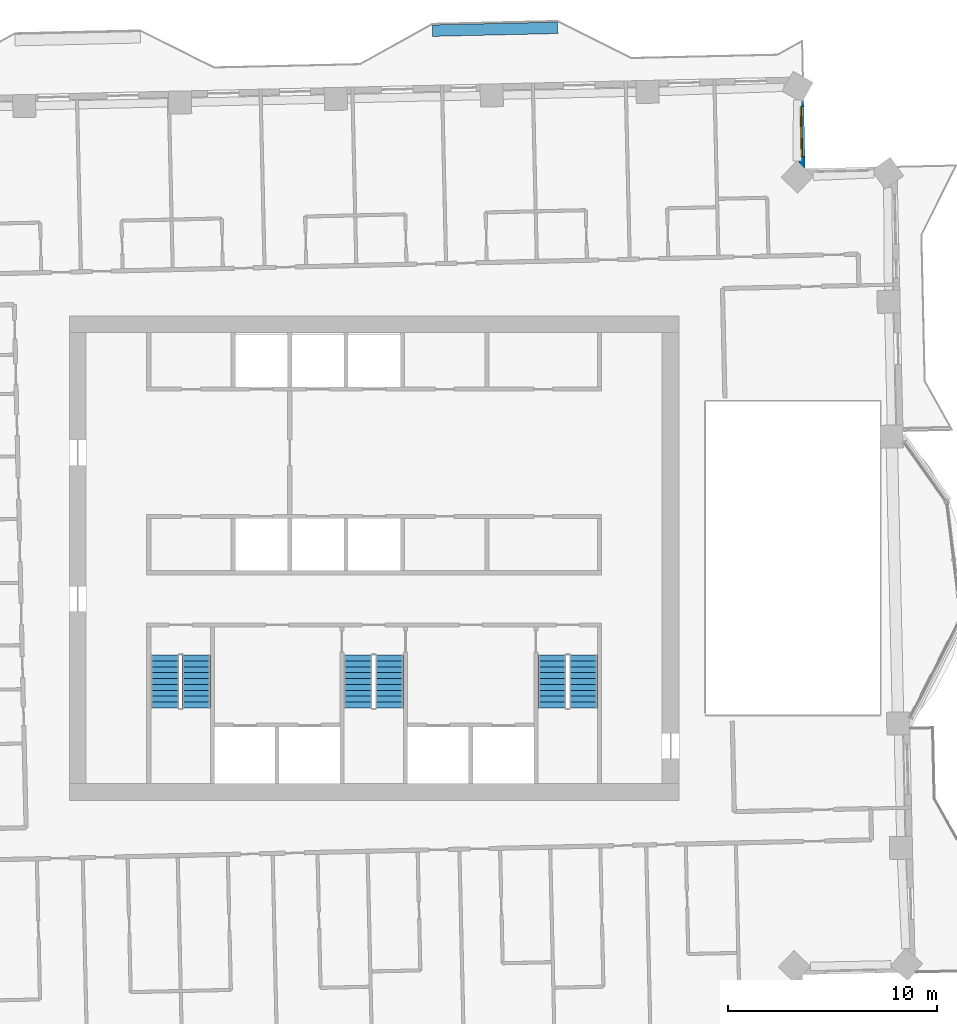
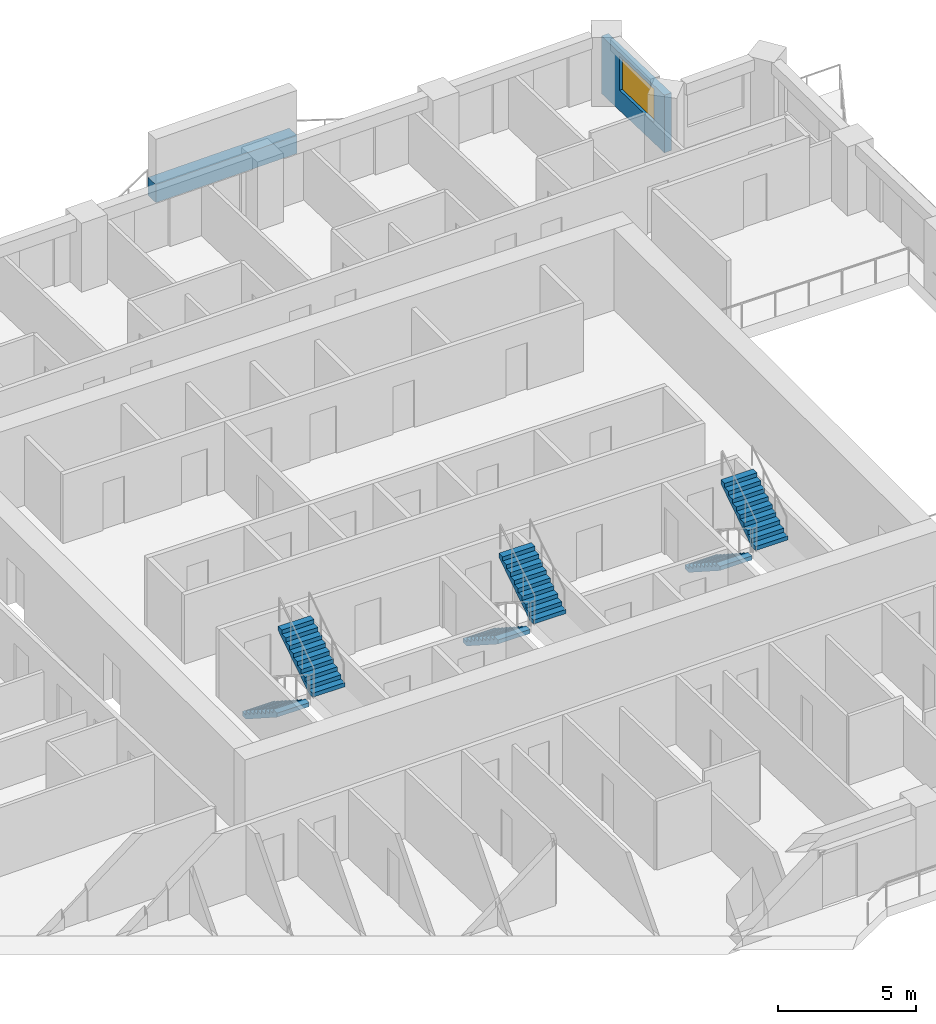
# One storey, part 13 of 17: 6 stair flights, 2 walls, 1 window, 1 opening, 3 elements without a shape of their own.
"""IFC4 building model written with IfcOpenShell, lengths in metres."""

import ifcopenshell
import ifcopenshell.guid

model = None  # the IFC model being written
_history = None  # IfcOwnerHistory: only IFC2X3 demands one
_inside = {}  # id of a spatial element -> (the spatial element, [elements in it])
_under = {}  # id of a project, library or spatial element -> (it, [spatial elements below it])
_declared = {}  # id of a project -> (the project, [libraries it declares])
_typed = {}  # id of a type object -> (the type object, [elements of that type])
_made_of = {}  # id of a material, layer set ... -> (it, [elements and type objects made of it])


def new_model(schema):
    """Start an empty IFC model of exactly this schema.

    Asked for "IFC4X3", IfcOpenShell would pick the latest addendum, in which some entities
    have other attributes; the version numbers below select the first issue.
    IFC2X3 requires an IfcOwnerHistory on every rooted entity: one is made here for all.
    """
    global model, _history
    if schema == "IFC4X3":
        model = ifcopenshell.file(schema_version=(4, 3, 0, 0))
    else:
        model = ifcopenshell.file(schema=schema)
    _inside.clear()
    _under.clear()
    _declared.clear()
    _typed.clear()
    _made_of.clear()
    _history = None
    if model.schema == "IFC2X3":
        org = make("IfcOrganization", Name="unknown")
        user = make(
            "IfcPersonAndOrganization",
            ThePerson=make("IfcPerson", FamilyName="unknown"),
            TheOrganization=org,
        )
        app = make(
            "IfcApplication",
            ApplicationDeveloper=org,
            Version="unknown",
            ApplicationFullName="unknown",
            ApplicationIdentifier="unknown",
        )
        _history = make(
            "IfcOwnerHistory",
            OwningUser=user,
            OwningApplication=app,
            ChangeAction="ADDED",
            CreationDate=0,
        )
    return model


def make(cls, **values):
    """One entity of the class cls with the attributes given. An attribute that is None is left unset."""
    return model.create_entity(
        cls, **{name: value for name, value in values.items() if value is not None}
    )


def rooted(cls, **values):
    """An entity with a GlobalId (a new one), such as an element, a storey or a relation."""
    return make(cls, GlobalId=ifcopenshell.guid.new(), OwnerHistory=_history, **values)


def si_unit(unit_type, name, prefix=None):
    """IfcSIUnit, for example si_unit("LENGTHUNIT", "METRE", prefix="MILLI")."""
    return make("IfcSIUnit", UnitType=unit_type, Prefix=prefix, Name=name)


def assignment(units):
    """IfcUnitAssignment: the units of a project."""
    return None if units is None else make("IfcUnitAssignment", Units=units)


def point(xyz):
    """IfcCartesianPoint."""
    return None if xyz is None else make("IfcCartesianPoint", Coordinates=xyz)


def direction(xyz):
    """IfcDirection."""
    return None if xyz is None else make("IfcDirection", DirectionRatios=xyz)


def frame(location, z_axis=None, x_axis=None):
    """IfcAxis2Placement3D, a coordinate frame: its origin and axes. An axis left out is left unset."""
    return make(
        "IfcAxis2Placement3D",
        Location=point(location),
        Axis=direction(z_axis),
        RefDirection=direction(x_axis),
    )


def frame_2d(location, x_axis=None):
    """IfcAxis2Placement2D, a coordinate frame in the plane: its origin and x axis."""
    return make(
        "IfcAxis2Placement2D", Location=point(location), RefDirection=direction(x_axis)
    )


def origin():
    """The frame at (0, 0, 0) with its axes left unset."""
    return frame((0.0, 0.0, 0.0))


def place(relative_to, where):
    """IfcLocalPlacement: puts the frame where relative to a parent placement (None: the world)."""
    return make(
        "IfcLocalPlacement", PlacementRelTo=relative_to, RelativePlacement=where
    )


def context(
    kind, dimensions, precision=None, world=None, true_north=None, identifier=None
):
    """IfcGeometricRepresentationContext, for example the 3D "Model" context."""
    return make(
        "IfcGeometricRepresentationContext",
        ContextIdentifier=identifier,
        ContextType=kind,
        CoordinateSpaceDimension=dimensions,
        Precision=precision,
        WorldCoordinateSystem=world,
        TrueNorth=true_north,
    )


def subcontext(parent, identifier, kind, view, scale=None):
    """IfcGeometricRepresentationSubContext, for example "Body" below "Model"."""
    return make(
        "IfcGeometricRepresentationSubContext",
        ContextIdentifier=identifier,
        ContextType=kind,
        ParentContext=parent,
        TargetScale=scale,
        TargetView=view,
    )


def project(units=None, contexts=None):
    """IfcProject with its units and contexts."""
    return rooted(
        "IfcProject",
        Name="project",
        RepresentationContexts=contexts,
        UnitsInContext=assignment(units),
    )


def spatial(cls, under=None, at=None, **own):
    """A site, building, storey or space (cls), placed at a placement, below another one or the project."""
    s = rooted(cls, ObjectPlacement=at, **own)
    if under is not None:
        _under.setdefault(under.id(), (under, []))[1].append(s)
    return s


def polyline(points):
    """IfcPolyline through the points."""
    return make("IfcPolyline", Points=[point(p) for p in points])


def profile(cls, at=None, kind="AREA", **sizes):
    """A parametric profile (cls). Its sizes go by their IFC names, for example OverallWidth=200.0."""
    return make(cls, ProfileType=kind, Position=at, **sizes)


def rectangle(**sizes):
    """IfcRectangleProfileDef."""
    return profile("IfcRectangleProfileDef", **sizes)


def outline(outer, holes=None, kind="AREA"):
    """IfcArbitraryClosedProfileDef: a profile drawn as a closed curve; with holes, ...WithVoids."""
    if holes is None:
        return make("IfcArbitraryClosedProfileDef", ProfileType=kind, OuterCurve=outer)
    return make(
        "IfcArbitraryProfileDefWithVoids",
        ProfileType=kind,
        OuterCurve=outer,
        InnerCurves=holes,
    )


def extrude(swept, where, along, depth):
    """IfcExtrudedAreaSolid: the profile swept, set in the frame where, extruded along a direction by depth."""
    return make(
        "IfcExtrudedAreaSolid",
        SweptArea=swept,
        Position=where,
        ExtrudedDirection=direction(along),
        Depth=depth,
    )


def shape(context_of_items, identifier, shape_type, items):
    """IfcShapeRepresentation: the items that make up one representation, for example the "Body"."""
    return make(
        "IfcShapeRepresentation",
        ContextOfItems=context_of_items,
        RepresentationIdentifier=identifier,
        RepresentationType=shape_type,
        Items=items,
    )


def material(Name=None, Category=None):
    """IfcMaterial."""
    return make("IfcMaterial", Name=Name, Category=Category)


def layer(
    of_material, thickness, ventilated=None, Name=None, Category=None, Priority=None
):
    """IfcMaterialLayer: one layer of a wall or slab, of a material (None: an air gap)."""
    return make(
        "IfcMaterialLayer",
        Material=of_material,
        LayerThickness=thickness,
        IsVentilated=ventilated,
        Name=Name,
        Category=Category,
        Priority=Priority,
    )


def layer_set(layers, Name=None):
    """IfcMaterialLayerSet."""
    return make("IfcMaterialLayerSet", MaterialLayers=layers, LayerSetName=Name)


def made_of(thing, what):
    """Note that an element or type object is made of a material, layer set ...; save() writes the relation."""
    if what is not None:
        _made_of.setdefault(what.id(), (what, []))[1].append(thing)
    return thing


def type_object(cls, material=None, **own):
    """A type object (cls), such as IfcWallType, which elements share."""
    return made_of(rooted(cls, **own), material)


def element(
    cls,
    number,
    at=None,
    inside=None,
    cuts=None,
    type_object=None,
    material=None,
    context=None,
    identifier="Body",
    shape_type=None,
    held_by="IfcProductDefinitionShape",
    body=None,
    shapes=None,
    **own,
):
    """One element of the class cls, such as IfcWall. Its Tag is "e" and its number.

    at: its placement. inside: the storey or other place that contains it. cuts: it is an
    opening in that element (IfcRelVoidsElement). A single representation is given by context,
    identifier, shape_type and body (its items); several are given by shapes. held_by: the class
    of the entity that holds the representations. save() writes the other relations.
    """
    e = rooted(cls, Tag="e%d" % number, ObjectPlacement=at, **own)
    if body is not None:
        shapes = [shape(context, identifier, shape_type, body)]
    if shapes is not None:
        e.Representation = make(held_by, Representations=shapes)
    if inside is not None:
        _inside.setdefault(inside.id(), (inside, []))[1].append(e)
    if cuts is not None:
        rooted(
            "IfcRelVoidsElement", RelatingBuildingElement=cuts, RelatedOpeningElement=e
        )
    if type_object is not None:
        _typed.setdefault(type_object.id(), (type_object, []))[1].append(e)
    return made_of(e, material)


def fill(opening, filler):
    """IfcRelFillsElement: the door or window that sits in an opening."""
    return rooted(
        "IfcRelFillsElement",
        RelatingOpeningElement=opening,
        RelatedBuildingElement=filler,
    )


def aggregate(whole, parts):
    """IfcRelAggregates: a whole, such as a stair, and the parts it consists of."""
    return rooted("IfcRelAggregates", RelatingObject=whole, RelatedObjects=parts)


def save(model, path):
    """Write the relations noted so far, then the file.

    IfcRelAggregates (storeys below a building ...), IfcRelContainedInSpatialStructure (elements
    in a storey), IfcRelDefinesByType, IfcRelAssociatesMaterial and IfcRelDeclares: one each for
    every whole, place, type object, material and project.
    """
    for whole, parts in _under.values():
        aggregate(whole, parts)
    for where, things in _inside.values():
        rooted(
            "IfcRelContainedInSpatialStructure",
            RelatedElements=things,
            RelatingStructure=where,
        )
    for kind, things in _typed.values():
        rooted("IfcRelDefinesByType", RelatedObjects=things, RelatingType=kind)
    for what, things in _made_of.values():
        rooted("IfcRelAssociatesMaterial", RelatedObjects=things, RelatingMaterial=what)
    for by, libraries in _declared.values():
        rooted("IfcRelDeclares", RelatingContext=by, RelatedDefinitions=libraries)
    model.write(path)


model = new_model("IFC4")

# Units and contexts
model_context = context("Model", 3, precision=1e-05, world=origin(), true_north=direction((0.0, 1.0)))
body_context = subcontext(model_context, "Body", "Model", "MODEL_VIEW")
ifc_project = project(units=[si_unit("LENGTHUNIT", "METRE"), si_unit("AREAUNIT", "SQUARE_METRE"), si_unit("VOLUMEUNIT", "CUBIC_METRE"), si_unit("PLANEANGLEUNIT", "RADIAN"), si_unit("MASSUNIT", "GRAM", prefix="KILO")], contexts=[model_context])

# Site, building, storey
site_placement = place(None, origin())
site = spatial("IfcSite", under=ifc_project, at=site_placement, CompositionType="ELEMENT")
building_placement = place(site_placement, origin())
building = spatial("IfcBuilding", under=site, at=building_placement, Name="Mangrove Gate Tower", CompositionType="ELEMENT")
storey_placement = place(building_placement, frame((0.0, 0.0, 238.300048828125)))
storey = spatial("IfcBuildingStorey", under=building, at=storey_placement, Name="L60", CompositionType="ELEMENT", Elevation=238.300048828125)

# Wall, opening, window
ifc_material_1 = material(Name="Limestone", Category="masonry")
ifc_layer_1 = layer(ifc_material_1, 0.0400390625, Name="Limestone cladding")
ifc_material_2 = material(Name="Ventilated air gap")
ifc_layer_2 = layer(ifc_material_2, 0.0400390625, Name="Ventilated cavity")
ifc_material_3 = material(Name="Mineral wool insulation")
ifc_layer_3 = layer(ifc_material_3, 0.06005859375, Name="Insulation")
ifc_material_4 = material(Name="Breather membrane")
ifc_layer_4 = layer(ifc_material_4, 0.001953125, Name="Breather membrane")
ifc_material_5 = material(Name="Concrete C20/25 blockwork", Category="masonry")
ifc_layer_5 = layer(ifc_material_5, 0.14990234375, Name="Blockwork backing wall")
ifc_material_6 = material(Name="Gypsum plaster")
ifc_layer_6 = layer(ifc_material_6, 0.008056640625, Name="Internal plaster")
ifc_layer_set_1 = layer_set([ifc_layer_1, ifc_layer_2, ifc_layer_3, ifc_layer_4, ifc_layer_5, ifc_layer_6], Name="External wall 300 limestone cladding")
wall_type_1 = type_object("IfcWallType", Name="External wall 300 limestone cladding", PredefinedType="SOLIDWALL", material=ifc_layer_set_1)
wall_1_placement = place(storey_placement, frame((20.501953125, 18.507080078125, 0.0), z_axis=(0.0, 0.0, 1.0), x_axis=(-0.02247683371, 0.999747364061, 0.0)))
wall_1 = element("IfcWall", 1, at=wall_1_placement, inside=storey, type_object=wall_type_1, Name="WALL-L60-E4", PredefinedType="SOLIDWALL", context=body_context, shape_type="SweptSolid", body=[
    extrude(rectangle(XDim=4.399169921875, YDim=0.300048828125, at=frame_2d((2.19970703125, 0.0))), origin(), (0.0, 0.0, 1.0), 2.550048828125),
])
opening_placement = place(wall_1_placement, frame((0.73095703125, 0.0, 0.89990234375)))
opening = element("IfcOpeningElement", 2, at=opening_placement, cuts=wall_1, Name="Opening W2", PredefinedType="OPENING", context=body_context, shape_type="SweptSolid", body=[
    extrude(rectangle(XDim=2.39990234375, YDim=1.5, at=frame_2d((1.199951171875, 0.75))), frame((0.0, 0.159912109375, 0.0), z_axis=(0.0, -1.0, 0.0), x_axis=(1.0, 0.0, 0.0)), (0.0, 0.0, 1.0), 0.320068359375),
])
ifc_material_7 = material(Name="Aluminium frame with double-glazed low-e glass", Category="aluminium")
window_type = type_object("IfcWindowType", Name="Corner room window 2400x1500", PartitioningType="DOUBLE_PANEL_VERTICAL", PredefinedType="WINDOW", material=ifc_material_7)
window_placement = place(opening_placement, origin())
window = element("IfcWindow", 3, at=window_placement, inside=storey, type_object=window_type, Name="WIN-L60-E4-1", OverallHeight=1.5, OverallWidth=2.39990234375, PartitioningType="DOUBLE_PANEL_VERTICAL", PredefinedType="WINDOW", context=body_context, shape_type="SweptSolid", body=[
    extrude(rectangle(XDim=2.39990234375, YDim=1.5, at=frame_2d((1.199951171875, 0.75))), frame((0.0, 0.030029296875, 0.0), z_axis=(0.0, -1.0, 0.0), x_axis=(1.0, 0.0, 0.0)), (0.0, 0.0, 1.0), 0.06005859375),
])
fill(opening, window)

# Wall
ifc_material_8 = material(Name="Concrete C32/40", Category="concrete")
ifc_layer_7 = layer(ifc_material_8, 0.199951171875, Name="Planter trough wall")
ifc_material_9 = material(Name="Bituminous waterproofing membrane")
ifc_layer_8 = layer(ifc_material_9, 0.0048828125, Name="Waterproofing")
ifc_material_10 = material(Name="Drainage board and gravel")
ifc_layer_9 = layer(ifc_material_10, 0.044921875, Name="Drainage layer")
ifc_material_11 = material(Name="Planting soil")
ifc_layer_10 = layer(ifc_material_11, 0.300048828125, Name="Growing medium")
ifc_layer_set_2 = layer_set([ifc_layer_7, ifc_layer_8, ifc_layer_9, ifc_layer_10], Name="Planter wall 550 C32/40")
wall_type_2 = type_object("IfcWallType", Name="Planter wall 550 C32/40", PredefinedType="USERDEFINED", material=ifc_layer_set_2)
wall_2_placement = place(storey_placement, frame((2.7900390625, 25.27197265625, 0.0), z_axis=(0.0, 0.0, 1.0), x_axis=(0.999743178102, 0.022662255828, 0.0)))
element("IfcWall", 4, at=wall_2_placement, inside=storey, type_object=wall_type_2, Name="PLANTER L60 N0.1", ObjectType="PLANTER", PredefinedType="USERDEFINED", context=body_context, shape_type="SweptSolid", body=[
    extrude(rectangle(XDim=6.00048828125, YDim=0.550048828125, at=frame_2d((3.000244140625, 0.0))), origin(), (0.0, 0.0, 1.0), 0.800048828125),
])

# Stair, stair flights
ifc_material_12 = material(Name="Concrete C40/50", Category="concrete")
stair_type = type_object("IfcStairType", Name="Core stair 1350", PredefinedType="HALF_TURN_STAIR", material=ifc_material_12)
stair_1_placement = place(storey_placement, origin())
stair_1 = element("IfcStair", 5, at=stair_1_placement, inside=storey, type_object=stair_type, Name="L60 Stair 1", PredefinedType="HALF_TURN_STAIR")
ifc_material_13 = material(Name="Concrete C40/50", Category="concrete")
stair_flight_type = type_object("IfcStairFlightType", Name="Core stair flight 1350", PredefinedType="STRAIGHT", material=ifc_material_13)
stair_flight_1_placement = place(storey_placement, frame((-10.02490234375, -4.64990234375, 0.0), z_axis=(0.0, 0.0, 1.0), x_axis=(0.0, -1.0, 0.0)))
stair_flight_1 = element("IfcStairFlight", 6, at=stair_flight_1_placement, type_object=stair_flight_type, Name="ST1 flight 1", NumberOfRisers=10, NumberOfTreads=9, PredefinedType="STRAIGHT", RiserHeight=0.18, TreadLength=0.28, context=body_context, shape_type="SweptSolid", body=[
    extrude(outline(polyline([(0.0, 0.0), (0.0, 0.179931640625), (0.280029296875, 0.179931640625), (0.280029296875, 0.360107421875), (0.56005859375, 0.360107421875), (0.56005859375, 0.5400390625), (0.840087890625, 0.5400390625), (0.840087890625, 0.719970703125), (1.1201171875, 0.719970703125), (1.1201171875, 0.89990234375), (1.39990234375, 0.89990234375), (1.39990234375, 1.080078125), (1.679931640625, 1.080078125), (1.679931640625, 1.260009765625), (1.9599609375, 1.260009765625), (1.9599609375, 1.43994140625), (2.239990234375, 1.43994140625), (2.239990234375, 1.6201171875), (2.52001953125, 1.6201171875), (2.52001953125, 1.800048828125), (2.52001953125, 1.44189453125), (0.277099609375, 0.0), (0.0, 0.0)])), frame((0.0, 0.675048828125, 0.0), z_axis=(0.0, -1.0, 0.0), x_axis=(1.0, 0.0, 0.0)), (0.0, 0.0, 1.0), 1.35009765625),
])
stair_flight_2_placement = place(storey_placement, frame((-8.52490234375, -7.169921875, 1.800048828125), z_axis=(0.0, 0.0, 1.0), x_axis=(0.0, 1.0, 0.0)))
stair_flight_2 = element("IfcStairFlight", 7, at=stair_flight_2_placement, type_object=stair_flight_type, Name="ST1 flight 2", NumberOfRisers=10, NumberOfTreads=9, PredefinedType="STRAIGHT", RiserHeight=0.18, TreadLength=0.28, context=body_context, shape_type="SweptSolid", body=[
    extrude(outline(polyline([(0.0, 0.0), (0.0, 0.179931640625), (0.280029296875, 0.179931640625), (0.280029296875, 0.360107421875), (0.56005859375, 0.360107421875), (0.56005859375, 0.5400390625), (0.840087890625, 0.5400390625), (0.840087890625, 0.719970703125), (1.1201171875, 0.719970703125), (1.1201171875, 0.89990234375), (1.39990234375, 0.89990234375), (1.39990234375, 1.080078125), (1.679931640625, 1.080078125), (1.679931640625, 1.260009765625), (1.9599609375, 1.260009765625), (1.9599609375, 1.43994140625), (2.239990234375, 1.43994140625), (2.239990234375, 1.6201171875), (2.52001953125, 1.6201171875), (2.52001953125, 1.800048828125), (2.52001953125, 1.44189453125), (0.277099609375, 0.0), (0.0, 0.0)])), frame((0.0, 0.675048828125, 0.0), z_axis=(0.0, -1.0, 0.0), x_axis=(1.0, 0.0, 0.0)), (0.0, 0.0, 1.0), 1.35009765625),
])
aggregate(stair_1, [stair_flight_1, stair_flight_2])

stair_2_placement = place(storey_placement, origin())
stair_2 = element("IfcStair", 8, at=stair_2_placement, inside=storey, type_object=stair_type, Name="L60 Stair 2", PredefinedType="HALF_TURN_STAIR")
stair_flight_3_placement = place(storey_placement, frame((-0.77490234375, -4.64990234375, 0.0), z_axis=(0.0, 0.0, 1.0), x_axis=(0.0, -1.0, 0.0)))
stair_flight_3 = element("IfcStairFlight", 9, at=stair_flight_3_placement, type_object=stair_flight_type, Name="ST2 flight 1", NumberOfRisers=10, NumberOfTreads=9, PredefinedType="STRAIGHT", RiserHeight=0.18, TreadLength=0.28, context=body_context, shape_type="SweptSolid", body=[
    extrude(outline(polyline([(0.0, 0.0), (0.0, 0.179931640625), (0.280029296875, 0.179931640625), (0.280029296875, 0.360107421875), (0.56005859375, 0.360107421875), (0.56005859375, 0.5400390625), (0.840087890625, 0.5400390625), (0.840087890625, 0.719970703125), (1.1201171875, 0.719970703125), (1.1201171875, 0.89990234375), (1.39990234375, 0.89990234375), (1.39990234375, 1.080078125), (1.679931640625, 1.080078125), (1.679931640625, 1.260009765625), (1.9599609375, 1.260009765625), (1.9599609375, 1.43994140625), (2.239990234375, 1.43994140625), (2.239990234375, 1.6201171875), (2.52001953125, 1.6201171875), (2.52001953125, 1.800048828125), (2.52001953125, 1.44189453125), (0.277099609375, 0.0), (0.0, 0.0)])), frame((0.0, 0.675048828125, 0.0), z_axis=(0.0, -1.0, 0.0), x_axis=(1.0, 0.0, 0.0)), (0.0, 0.0, 1.0), 1.35009765625),
])
stair_flight_4_placement = place(storey_placement, frame((0.72509765625, -7.169921875, 1.800048828125), z_axis=(0.0, 0.0, 1.0), x_axis=(0.0, 1.0, 0.0)))
stair_flight_4 = element("IfcStairFlight", 10, at=stair_flight_4_placement, type_object=stair_flight_type, Name="ST2 flight 2", NumberOfRisers=10, NumberOfTreads=9, PredefinedType="STRAIGHT", RiserHeight=0.18, TreadLength=0.28, context=body_context, shape_type="SweptSolid", body=[
    extrude(outline(polyline([(0.0, 0.0), (0.0, 0.179931640625), (0.280029296875, 0.179931640625), (0.280029296875, 0.360107421875), (0.56005859375, 0.360107421875), (0.56005859375, 0.5400390625), (0.840087890625, 0.5400390625), (0.840087890625, 0.719970703125), (1.1201171875, 0.719970703125), (1.1201171875, 0.89990234375), (1.39990234375, 0.89990234375), (1.39990234375, 1.080078125), (1.679931640625, 1.080078125), (1.679931640625, 1.260009765625), (1.9599609375, 1.260009765625), (1.9599609375, 1.43994140625), (2.239990234375, 1.43994140625), (2.239990234375, 1.6201171875), (2.52001953125, 1.6201171875), (2.52001953125, 1.800048828125), (2.52001953125, 1.44189453125), (0.277099609375, 0.0), (0.0, 0.0)])), frame((0.0, 0.675048828125, 0.0), z_axis=(0.0, -1.0, 0.0), x_axis=(1.0, 0.0, 0.0)), (0.0, 0.0, 1.0), 1.35009765625),
])
aggregate(stair_2, [stair_flight_3, stair_flight_4])

stair_3_placement = place(storey_placement, origin())
stair_3 = element("IfcStair", 11, at=stair_3_placement, inside=storey, type_object=stair_type, Name="L60 Stair 3", PredefinedType="HALF_TURN_STAIR")
stair_flight_5_placement = place(storey_placement, frame((8.52490234375, -4.64990234375, 0.0), z_axis=(0.0, 0.0, 1.0), x_axis=(0.0, -1.0, 0.0)))
stair_flight_5 = element("IfcStairFlight", 12, at=stair_flight_5_placement, type_object=stair_flight_type, Name="ST3 flight 1", NumberOfRisers=10, NumberOfTreads=9, PredefinedType="STRAIGHT", RiserHeight=0.18, TreadLength=0.28, context=body_context, shape_type="SweptSolid", body=[
    extrude(outline(polyline([(0.0, 0.0), (0.0, 0.179931640625), (0.280029296875, 0.179931640625), (0.280029296875, 0.360107421875), (0.56005859375, 0.360107421875), (0.56005859375, 0.5400390625), (0.840087890625, 0.5400390625), (0.840087890625, 0.719970703125), (1.1201171875, 0.719970703125), (1.1201171875, 0.89990234375), (1.39990234375, 0.89990234375), (1.39990234375, 1.080078125), (1.679931640625, 1.080078125), (1.679931640625, 1.260009765625), (1.9599609375, 1.260009765625), (1.9599609375, 1.43994140625), (2.239990234375, 1.43994140625), (2.239990234375, 1.6201171875), (2.52001953125, 1.6201171875), (2.52001953125, 1.800048828125), (2.52001953125, 1.44189453125), (0.277099609375, 0.0), (0.0, 0.0)])), frame((0.0, 0.675048828125, 0.0), z_axis=(0.0, -1.0, 0.0), x_axis=(1.0, 0.0, 0.0)), (0.0, 0.0, 1.0), 1.35009765625),
])
stair_flight_6_placement = place(storey_placement, frame((10.02490234375, -7.169921875, 1.800048828125), z_axis=(0.0, 0.0, 1.0), x_axis=(0.0, 1.0, 0.0)))
stair_flight_6 = element("IfcStairFlight", 13, at=stair_flight_6_placement, type_object=stair_flight_type, Name="ST3 flight 2", NumberOfRisers=10, NumberOfTreads=9, PredefinedType="STRAIGHT", RiserHeight=0.18, TreadLength=0.28, context=body_context, shape_type="SweptSolid", body=[
    extrude(outline(polyline([(0.0, 0.0), (0.0, 0.179931640625), (0.280029296875, 0.179931640625), (0.280029296875, 0.360107421875), (0.56005859375, 0.360107421875), (0.56005859375, 0.5400390625), (0.840087890625, 0.5400390625), (0.840087890625, 0.719970703125), (1.1201171875, 0.719970703125), (1.1201171875, 0.89990234375), (1.39990234375, 0.89990234375), (1.39990234375, 1.080078125), (1.679931640625, 1.080078125), (1.679931640625, 1.260009765625), (1.9599609375, 1.260009765625), (1.9599609375, 1.43994140625), (2.239990234375, 1.43994140625), (2.239990234375, 1.6201171875), (2.52001953125, 1.6201171875), (2.52001953125, 1.800048828125), (2.52001953125, 1.44189453125), (0.277099609375, 0.0), (0.0, 0.0)])), frame((0.0, 0.675048828125, 0.0), z_axis=(0.0, -1.0, 0.0), x_axis=(1.0, 0.0, 0.0)), (0.0, 0.0, 1.0), 1.35009765625),
])
aggregate(stair_3, [stair_flight_5, stair_flight_6])

save(model, "model.ifc")
